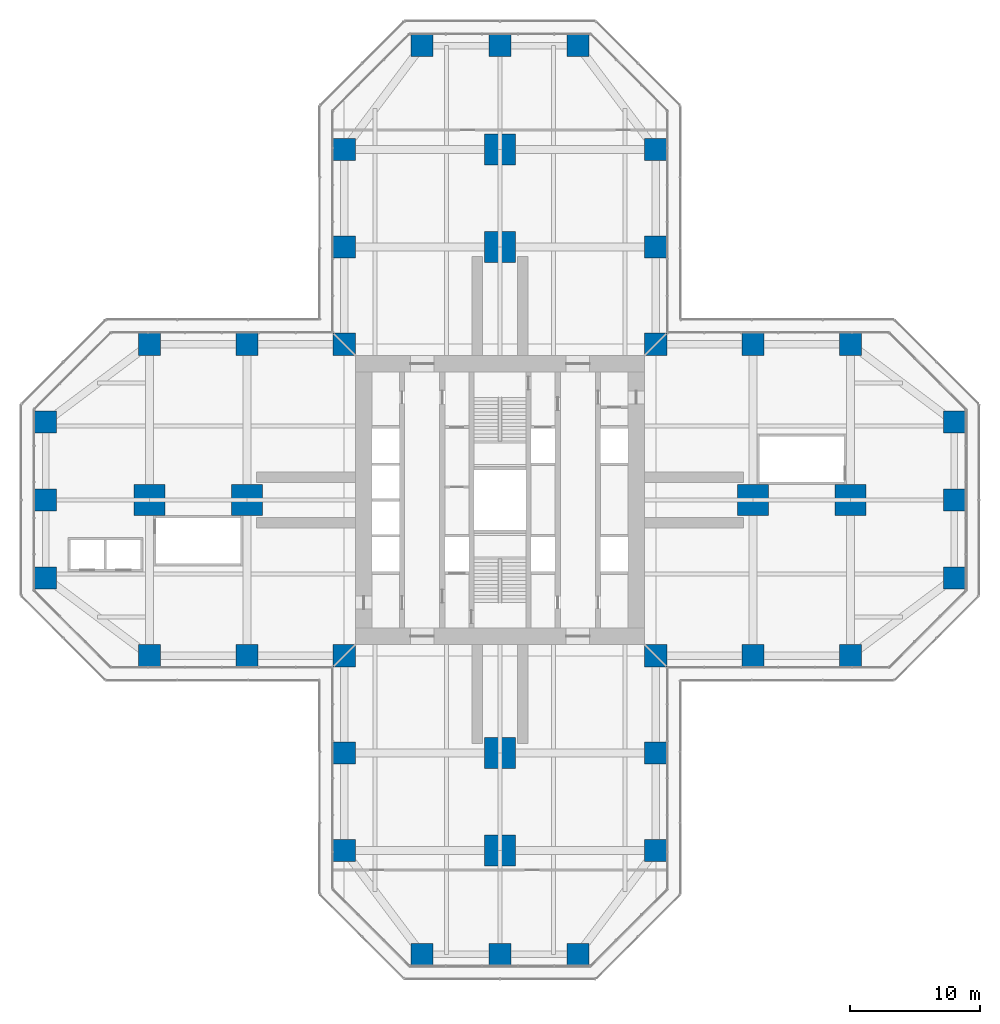
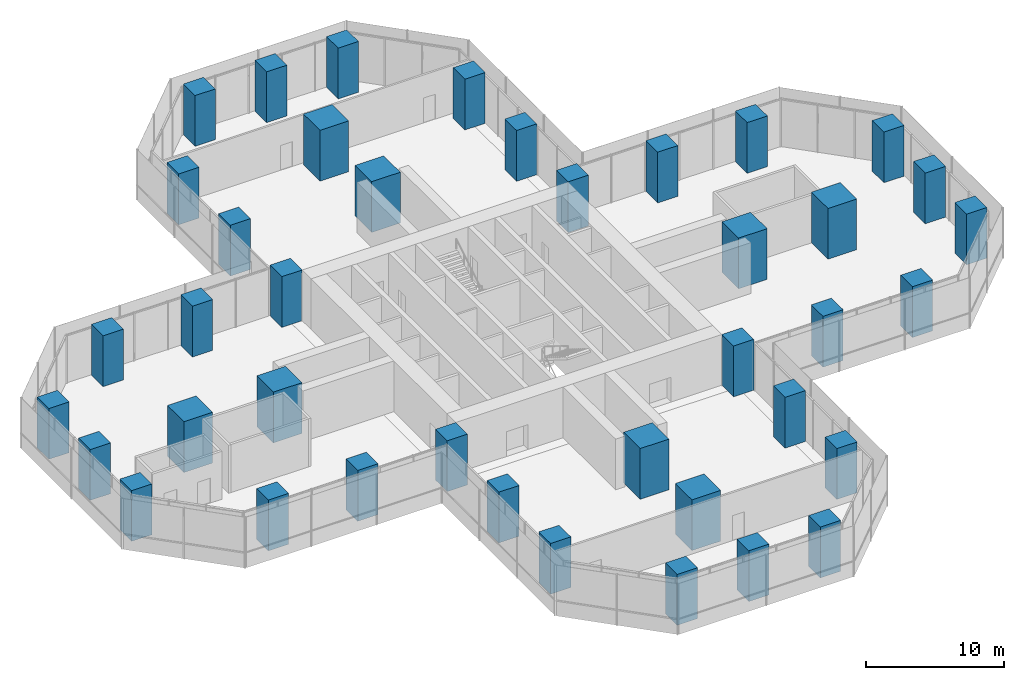
# One storey, part 1 of 21: 40 columns.
"""IFC4 building model written with IfcOpenShell, lengths in metres."""

from ifc_helpers import new_model, si_unit, direction, frame, origin, origin_2d, place, context, subcontext, project, spatial, rectangle, extrude, material, material_profile, profile_set, type_object, element, save


model = new_model("IFC4")

# Units and contexts
model_context = context("Model", 3, precision=1e-05, world=origin(), true_north=direction((0.0, 1.0)))
body_context = subcontext(model_context, "Body", "Model", "MODEL_VIEW")
ifc_project = project(units=[si_unit("LENGTHUNIT", "METRE"), si_unit("AREAUNIT", "SQUARE_METRE"), si_unit("VOLUMEUNIT", "CUBIC_METRE"), si_unit("PLANEANGLEUNIT", "RADIAN"), si_unit("MASSUNIT", "GRAM", prefix="KILO")], contexts=[model_context])

# Site, building, storey
site_placement = place(None, origin())
site = spatial("IfcSite", under=ifc_project, at=site_placement, CompositionType="ELEMENT")
building_placement = place(site_placement, origin())
building = spatial("IfcBuilding", under=site, at=building_placement, Name="Mizan Broadcast Tower", CompositionType="ELEMENT")
storey_placement = place(building_placement, frame((0.0, 0.0, 33.0)))
storey = spatial("IfcBuildingStorey", under=building, at=storey_placement, Name="L05", CompositionType="ELEMENT", Elevation=33.0)

# Columns
ifc_material_1 = material(Name="Concrete C70/85", Category="concrete")
ifc_material_profile_1 = material_profile(ifc_material_1, rectangle(XDim=1.699951171875, YDim=1.699951171875, at=origin_2d()), Name="RC 1700x1700")
ifc_profile_set_1 = profile_set([ifc_material_profile_1], Name="Concrete C70/85")
column_type_1 = type_object("IfcColumnType", Name="RC COLUMN 1700x1700 C70/85", PredefinedType="COLUMN", material=ifc_profile_set_1)
for number, where, z_axis, x_axis, name in (
    (1, (-6.0, -35.0, 0.0), (0.0, 0.0, 1.0), (1.0, 0.0, 0.0), "Column 5/A L05"),
    (2, (0.0, -35.0, 0.0), (0.0, 0.0, 1.0), (1.0, 0.0, 0.0), "Column 6/A L05"),
    (3, (6.0, -35.0, 0.0), (0.0, 0.0, 1.0), (1.0, 0.0, 0.0), "Column 7/A L05"),
    (4, (-12.0, -27.0, 0.0), (0.0, 0.0, 1.0), (1.0, 0.0, 0.0), "Column 4/B L05"),
    (5, (12.0, -27.0, 0.0), (0.0, 0.0, 1.0), (1.0, 0.0, 0.0), "Column 8/B L05"),
    (6, (-12.0, -19.5, 0.0), (0.0, 0.0, 1.0), (1.0, 0.0, 0.0), "Column 4/C L05"),
    (7, (12.0, -19.5, 0.0), (0.0, 0.0, 1.0), (1.0, 0.0, 0.0), "Column 8/C L05"),
    (8, (-27.0, -12.0, 0.0), (0.0, 0.0, 1.0), (1.0, 0.0, 0.0), "Column 2/D L05"),
    (9, (-19.5, -12.0, 0.0), (0.0, 0.0, 1.0), (1.0, 0.0, 0.0), "Column 3/D L05"),
    (10, (-12.0, -12.0, 0.0), (0.0, 0.0, 1.0), (1.0, 0.0, 0.0), "Column 4/D L05"),
    (11, (12.0, -12.0, 0.0), (0.0, 0.0, 1.0), (1.0, 0.0, 0.0), "Column 8/D L05"),
    (12, (19.5, -12.0, 0.0), (0.0, 0.0, 1.0), (1.0, 0.0, 0.0), "Column 9/D L05"),
    (13, (27.0, -12.0, 0.0), (0.0, 0.0, 1.0), (1.0, 0.0, 0.0), "Column 10/D L05"),
    (14, (-35.0, -6.0, 0.0), (0.0, 0.0, 1.0), (1.0, 0.0, 0.0), "Column 1/E L05"),
    (15, (35.0, -6.0, 0.0), (0.0, 0.0, 1.0), (1.0, 0.0, 0.0), "Column 11/E L05"),
    (16, (-35.0, 0.0, 0.0), (0.0, 0.0, 1.0), (1.0, 0.0, 0.0), "Column 1/F L05"),
    (17, (35.0, 0.0, 0.0), (0.0, 0.0, 1.0), (1.0, 0.0, 0.0), "Column 11/F L05"),
    (18, (-35.0, 6.0, 0.0), (0.0, 0.0, 1.0), (1.0, 0.0, 0.0), "Column 1/G L05"),
    (19, (35.0, 6.0, 0.0), (0.0, 0.0, 1.0), (1.0, 0.0, 0.0), "Column 11/G L05"),
    (20, (-27.0, 12.0, 0.0), (0.0, 0.0, 1.0), (1.0, 0.0, 0.0), "Column 2/H L05"),
    (21, (-19.5, 12.0, 0.0), (0.0, 0.0, 1.0), (1.0, 0.0, 0.0), "Column 3/H L05"),
    (22, (-12.0, 12.0, 0.0), (0.0, 0.0, 1.0), (1.0, 0.0, 0.0), "Column 4/H L05"),
    (23, (12.0, 12.0, 0.0), (0.0, 0.0, 1.0), (1.0, 0.0, 0.0), "Column 8/H L05"),
    (24, (19.5, 12.0, 0.0), (0.0, 0.0, 1.0), (1.0, 0.0, 0.0), "Column 9/H L05"),
    (25, (27.0, 12.0, 0.0), (0.0, 0.0, 1.0), (1.0, 0.0, 0.0), "Column 10/H L05"),
    (26, (-12.0, 19.5, 0.0), (0.0, 0.0, 1.0), (1.0, 0.0, 0.0), "Column 4/J L05"),
    (27, (12.0, 19.5, 0.0), (0.0, 0.0, 1.0), (1.0, 0.0, 0.0), "Column 8/J L05"),
    (28, (-12.0, 27.0, 0.0), (0.0, 0.0, 1.0), (1.0, 0.0, 0.0), "Column 4/K L05"),
    (29, (12.0, 27.0, 0.0), (0.0, 0.0, 1.0), (1.0, 0.0, 0.0), "Column 8/K L05"),
    (30, (-6.0, 35.0, 0.0), (0.0, 0.0, 1.0), (1.0, 0.0, 0.0), "Column 5/L L05"),
    (31, (0.0, 35.0, 0.0), (0.0, 0.0, 1.0), (1.0, 0.0, 0.0), "Column 6/L L05"),
    (32, (6.0, 35.0, 0.0), (0.0, 0.0, 1.0), (1.0, 0.0, 0.0), "Column 7/L L05"),
):
    element("IfcColumn", number, at=place(storey_placement, frame(where, z_axis=z_axis, x_axis=x_axis)), inside=storey, type_object=column_type_1, Name=name, PredefinedType="COLUMN", context=body_context, shape_type="SweptSolid", body=[
        extrude(rectangle(XDim=1.699951171875, YDim=1.699951171875, at=origin_2d()), origin(), (0.0, 0.0, 1.0), 4.5),
    ])
ifc_material_2 = material(Name="Concrete C70/85", Category="concrete")
ifc_material_profile_2 = material_profile(ifc_material_2, rectangle(XDim=2.39990234375, YDim=2.39990234375, at=origin_2d()), Name="RC 2400x2400")
ifc_profile_set_2 = profile_set([ifc_material_profile_2], Name="Concrete C70/85")
column_type_2 = type_object("IfcColumnType", Name="RC COLUMN 2400x2400 C70/85", PredefinedType="COLUMN", material=ifc_profile_set_2)
for number, where, z_axis, x_axis, name in (
    (33, (0.0, -27.0, 0.0), (0.0, 0.0, 1.0), (1.0, 0.0, 0.0), "Column 6/B L05"),
    (34, (0.0, -19.5, 0.0), (0.0, 0.0, 1.0), (1.0, 0.0, 0.0), "Column 6/C L05"),
    (35, (-27.0, 0.0, 0.0), (0.0, 0.0, 1.0), (1.0, 0.0, 0.0), "Column 2/F L05"),
    (36, (-19.5, 0.0, 0.0), (0.0, 0.0, 1.0), (1.0, 0.0, 0.0), "Column 3/F L05"),
    (37, (19.5, 0.0, 0.0), (0.0, 0.0, 1.0), (1.0, 0.0, 0.0), "Column 9/F L05"),
    (38, (27.0, 0.0, 0.0), (0.0, 0.0, 1.0), (1.0, 0.0, 0.0), "Column 10/F L05"),
    (39, (0.0, 19.5, 0.0), (0.0, 0.0, 1.0), (1.0, 0.0, 0.0), "Column 6/J L05"),
    (40, (0.0, 27.0, 0.0), (0.0, 0.0, 1.0), (1.0, 0.0, 0.0), "Column 6/K L05"),
):
    element("IfcColumn", number, at=place(storey_placement, frame(where, z_axis=z_axis, x_axis=x_axis)), inside=storey, type_object=column_type_2, Name=name, PredefinedType="COLUMN", context=body_context, shape_type="SweptSolid", body=[
        extrude(rectangle(XDim=2.39990234375, YDim=2.39990234375, at=origin_2d()), origin(), (0.0, 0.0, 1.0), 4.5),
    ])

save(model, "model.ifc")
